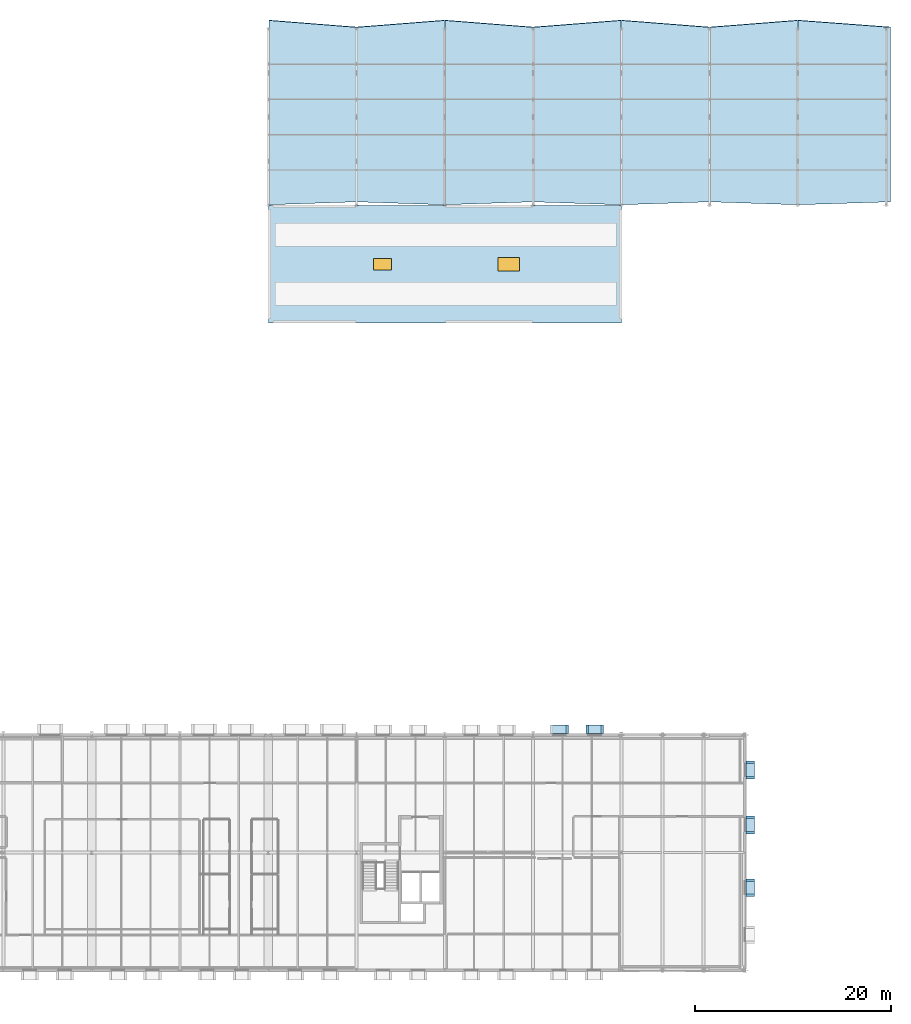
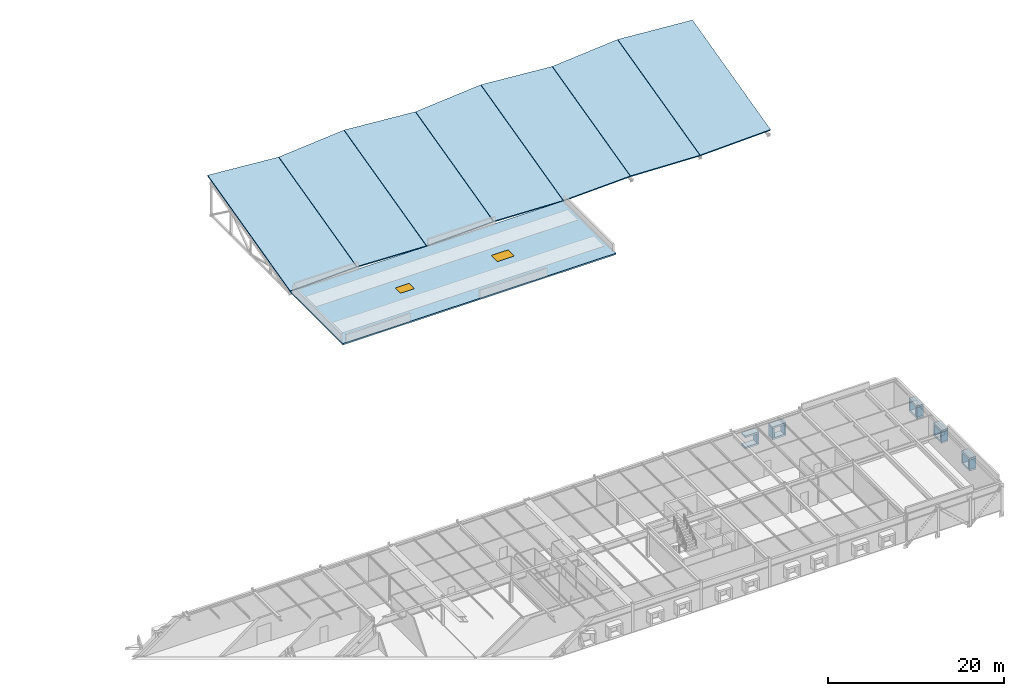
# One storey, part 18 of 36: 19 plates, 8 slabs, 2 windows, 2 openings, 1 element without a shape of its own.
"""IFC4 building model written with IfcOpenShell, lengths in metres."""

from ifc_helpers import new_model, si_unit, direction, frame, origin, origin_2d, place, context, subcontext, project, spatial, polyline, rectangle, outline, extrude, material, layer, layer_set, type_object, element, fill, aggregate, save


model = new_model("IFC4")

# Units and contexts
model_context = context("Model", 3, precision=1e-05, world=origin(), true_north=direction((0.0, 1.0)))
body_context = subcontext(model_context, "Body", "Model", "MODEL_VIEW")
ifc_project = project(units=[si_unit("LENGTHUNIT", "METRE"), si_unit("AREAUNIT", "SQUARE_METRE"), si_unit("VOLUMEUNIT", "CUBIC_METRE"), si_unit("PLANEANGLEUNIT", "RADIAN"), si_unit("MASSUNIT", "GRAM", prefix="KILO")], contexts=[model_context])

# Site, building, storey
site_placement = place(None, origin())
site = spatial("IfcSite", under=ifc_project, at=site_placement, CompositionType="ELEMENT")
building_placement = place(site_placement, origin())
building = spatial("IfcBuilding", under=site, at=building_placement, Name="Montelvaro Courts of Justice", CompositionType="ELEMENT")
storey_placement = place(building_placement, frame((0.0, 0.0, 23.39990234375)))
storey = spatial("IfcBuildingStorey", under=building, at=storey_placement, Name="L05", CompositionType="ELEMENT", Elevation=23.39990234375)

# Slab, openings, windows
ifc_material_1 = material(Name="Concrete C35/45", Category="concrete")
ifc_layer_1 = layer(ifc_material_1, 0.199951171875)
ifc_layer_set_1 = layer_set([ifc_layer_1], Name="Concrete C35/45")
slab_type_1 = type_object("IfcSlabType", Name="HeadHouseRoof_200", PredefinedType="ROOF", material=ifc_layer_set_1)
slab_1_placement = place(storey_placement, frame((0.0, 0.0, -0.199951171875)))
slab_1 = element("IfcSlab", 1, at=slab_1_placement, inside=storey, type_object=slab_type_1, Name="Roof Slab SR-06 L05", PredefinedType="ROOF", context=body_context, shape_type="SweptSolid", body=[
    extrude(outline(polyline([(99.050048828125, 66.0), (135.0, 66.0), (135.0, 78.0), (99.050048828125, 78.0), (99.050048828125, 66.0)])), origin(), (0.0, 0.0, 1.0), 0.199951171875),
])
opening_1_placement = place(slab_1_placement, frame((110.656005859375, 72.0, -0.014892578125)))
opening_1 = element("IfcOpeningElement", 2, at=opening_1_placement, cuts=slab_1, Name="Opening SK-03", PredefinedType="OPENING", context=body_context, shape_type="SweptSolid", body=[
    extrude(rectangle(XDim=1.800048828125, YDim=1.199951171875, at=origin_2d()), origin(), (0.0, 0.0, 1.0), 0.229736328125),
])
opening_2_placement = place(slab_1_placement, frame((123.5439453125, 72.0, -0.014892578125)))
opening_2 = element("IfcOpeningElement", 3, at=opening_2_placement, cuts=slab_1, Name="Opening SK-04", PredefinedType="OPENING", context=body_context, shape_type="SweptSolid", body=[
    extrude(rectangle(XDim=2.199951171875, YDim=1.39990234375, at=origin_2d()), origin(), (0.0, 0.0, 1.0), 0.229736328125),
])
ifc_material_2 = material(Name="Low-E solar control double glazing", Category="glass")
window_type_1 = type_object("IfcWindowType", Name="Skylight_180x120", PartitioningType="SINGLE_PANEL", PredefinedType="SKYLIGHT", material=ifc_material_2)
window_1_placement = place(slab_1_placement, frame((110.656005859375, 72.0, 0.14990234375)))
window_1 = element("IfcWindow", 4, at=window_1_placement, inside=storey, type_object=window_type_1, Name="Roof Skylight Hatch SK-03-4.1", OverallHeight=1.199951171875, OverallWidth=1.800048828125, PartitioningType="SINGLE_PANEL", PredefinedType="SKYLIGHT", context=body_context, shape_type="SweptSolid", body=[
    extrude(rectangle(XDim=1.800048828125, YDim=1.199951171875, at=origin_2d()), origin(), (0.0, 0.0, 1.0), 0.050048828125),
])
fill(opening_1, window_1)
window_type_2 = type_object("IfcWindowType", Name="Skylight_220x140", PartitioningType="SINGLE_PANEL", PredefinedType="SKYLIGHT", material=ifc_material_2)
window_2_placement = place(slab_1_placement, frame((123.5439453125, 72.0, 0.14990234375)))
window_2 = element("IfcWindow", 5, at=window_2_placement, inside=storey, type_object=window_type_2, Name="Roof Skylight Hatch SK-04-4.2", OverallHeight=1.39990234375, OverallWidth=2.199951171875, PartitioningType="SINGLE_PANEL", PredefinedType="SKYLIGHT", context=body_context, shape_type="SweptSolid", body=[
    extrude(rectangle(XDim=2.199951171875, YDim=1.39990234375, at=origin_2d()), origin(), (0.0, 0.0, 1.0), 0.050048828125),
])
fill(opening_2, window_2)

# Plates
ifc_material_3 = material(Name="White mineral precast concrete C45/55", Category="concrete")
ifc_layer_2 = layer(ifc_material_3, 0.25)
ifc_layer_set_2 = layer_set([ifc_layer_2], Name="White mineral precast concrete C45/55")
plate_type = type_object("IfcPlateType", Name="PrecastSquareFrame_250x850", PredefinedType="SHEET", material=ifc_layer_set_2)
for number, where, z_axis, x_axis, name in (
    (6, (148.159912109375, 8.4189453125, 2.2001953125), (0.0, 0.0, 1.0), (0.0, 1.0, 0.0), "Graduated Square Window Frame PF-03 W-L05-273 TOP"),
    (7, (148.159912109375, 8.4189453125, 0.650146484375), (0.0, 0.0, 1.0), (0.0, 1.0, 0.0), "Graduated Square Window Frame PF-03 W-L05-273 BOT"),
):
    element("IfcPlate", number, at=place(storey_placement, frame(where, z_axis=z_axis, x_axis=x_axis)), inside=storey, type_object=plate_type, Name=name, PredefinedType="SHEET", context=body_context, shape_type="SweptSolid", body=[
        extrude(rectangle(XDim=1.800048828125, YDim=0.860107421875, at=origin_2d()), origin(), (0.0, 0.0, 1.0), 0.25),
    ])
for number, where, z_axis, x_axis, name in (
    (8, (148.159912109375, 7.64404296875, 0.89990234375), (0.0, 0.0, 1.0), (0.0, 1.0, 0.0), "Graduated Square Window Frame PF-03 W-L05-273 L"),
    (9, (148.159912109375, 9.194091796875, 0.89990234375), (0.0, 0.0, 1.0), (0.0, 1.0, 0.0), "Graduated Square Window Frame PF-03 W-L05-273 R"),
):
    element("IfcPlate", number, at=place(storey_placement, frame(where, z_axis=z_axis, x_axis=x_axis)), inside=storey, type_object=plate_type, Name=name, PredefinedType="SHEET", context=body_context, shape_type="SweptSolid", body=[
        extrude(rectangle(XDim=0.25, YDim=0.860107421875, at=origin_2d()), origin(), (0.0, 0.0, 1.0), 1.300048828125),
    ])
for number, where, z_axis, x_axis, name in (
    (10, (148.159912109375, 14.81005859375, 2.2001953125), (0.0, 0.0, 1.0), (0.0, 1.0, 0.0), "Graduated Square Window Frame PF-03 W-L05-274 TOP"),
    (11, (148.159912109375, 14.81005859375, 0.650146484375), (0.0, 0.0, 1.0), (0.0, 1.0, 0.0), "Graduated Square Window Frame PF-03 W-L05-274 BOT"),
):
    element("IfcPlate", number, at=place(storey_placement, frame(where, z_axis=z_axis, x_axis=x_axis)), inside=storey, type_object=plate_type, Name=name, PredefinedType="SHEET", context=body_context, shape_type="SweptSolid", body=[
        extrude(rectangle(XDim=1.800048828125, YDim=0.860107421875, at=origin_2d()), origin(), (0.0, 0.0, 1.0), 0.25),
    ])
for number, where, z_axis, x_axis, name in (
    (12, (148.159912109375, 14.034912109375, 0.89990234375), (0.0, 0.0, 1.0), (0.0, 1.0, 0.0), "Graduated Square Window Frame PF-03 W-L05-274 L"),
    (13, (148.159912109375, 15.5849609375, 0.89990234375), (0.0, 0.0, 1.0), (0.0, 1.0, 0.0), "Graduated Square Window Frame PF-03 W-L05-274 R"),
):
    element("IfcPlate", number, at=place(storey_placement, frame(where, z_axis=z_axis, x_axis=x_axis)), inside=storey, type_object=plate_type, Name=name, PredefinedType="SHEET", context=body_context, shape_type="SweptSolid", body=[
        extrude(rectangle(XDim=0.25, YDim=0.860107421875, at=origin_2d()), origin(), (0.0, 0.0, 1.0), 1.300048828125),
    ])
for number, where, z_axis, x_axis, name in (
    (14, (148.159912109375, 20.425048828125, 2.2001953125), (0.0, 0.0, 1.0), (0.0, 1.0, 0.0), "Graduated Square Window Frame PF-03 W-L05-275 TOP"),
    (15, (148.159912109375, 20.425048828125, 0.650146484375), (0.0, 0.0, 1.0), (0.0, 1.0, 0.0), "Graduated Square Window Frame PF-03 W-L05-275 BOT"),
):
    element("IfcPlate", number, at=place(storey_placement, frame(where, z_axis=z_axis, x_axis=x_axis)), inside=storey, type_object=plate_type, Name=name, PredefinedType="SHEET", context=body_context, shape_type="SweptSolid", body=[
        extrude(rectangle(XDim=1.800048828125, YDim=0.860107421875, at=origin_2d()), origin(), (0.0, 0.0, 1.0), 0.25),
    ])
for number, where, z_axis, x_axis, name in (
    (16, (148.159912109375, 19.64990234375, 0.89990234375), (0.0, 0.0, 1.0), (0.0, 1.0, 0.0), "Graduated Square Window Frame PF-03 W-L05-275 L"),
    (17, (148.159912109375, 21.199951171875, 0.89990234375), (0.0, 0.0, 1.0), (0.0, 1.0, 0.0), "Graduated Square Window Frame PF-03 W-L05-275 R"),
):
    element("IfcPlate", number, at=place(storey_placement, frame(where, z_axis=z_axis, x_axis=x_axis)), inside=storey, type_object=plate_type, Name=name, PredefinedType="SHEET", context=body_context, shape_type="SweptSolid", body=[
        extrude(rectangle(XDim=0.25, YDim=0.860107421875, at=origin_2d()), origin(), (0.0, 0.0, 1.0), 1.300048828125),
    ])
for number, where, z_axis, x_axis, name in (
    (18, (132.297119140625, 24.56005859375, 2.2001953125), (0.0, 0.0, 1.0), (-1.0, 0.0, 0.0), "Graduated Square Window Frame PF-03 W-L05-276 TOP"),
    (19, (132.297119140625, 24.56005859375, 0.650146484375), (0.0, 0.0, 1.0), (-1.0, 0.0, 0.0), "Graduated Square Window Frame PF-03 W-L05-276 BOT"),
):
    element("IfcPlate", number, at=place(storey_placement, frame(where, z_axis=z_axis, x_axis=x_axis)), inside=storey, type_object=plate_type, Name=name, PredefinedType="SHEET", context=body_context, shape_type="SweptSolid", body=[
        extrude(rectangle(XDim=1.800048828125, YDim=0.860107421875, at=origin_2d()), origin(), (0.0, 0.0, 1.0), 0.25),
    ])
for number, where, z_axis, x_axis, name in (
    (20, (133.072021484375, 24.56005859375, 0.89990234375), (0.0, 0.0, 1.0), (-1.0, 0.0, 0.0), "Graduated Square Window Frame PF-03 W-L05-276 L"),
    (21, (131.52197265625, 24.56005859375, 0.89990234375), (0.0, 0.0, 1.0), (-1.0, 0.0, 0.0), "Graduated Square Window Frame PF-03 W-L05-276 R"),
):
    element("IfcPlate", number, at=place(storey_placement, frame(where, z_axis=z_axis, x_axis=x_axis)), inside=storey, type_object=plate_type, Name=name, PredefinedType="SHEET", context=body_context, shape_type="SweptSolid", body=[
        extrude(rectangle(XDim=0.25, YDim=0.860107421875, at=origin_2d()), origin(), (0.0, 0.0, 1.0), 1.300048828125),
    ])
for number, where, z_axis, x_axis, name in (
    (22, (128.702880859375, 24.56005859375, 2.2001953125), (0.0, 0.0, 1.0), (-1.0, 0.0, 0.0), "Graduated Square Window Frame PF-03 W-L05-277 TOP"),
    (23, (128.702880859375, 24.56005859375, 0.650146484375), (0.0, 0.0, 1.0), (-1.0, 0.0, 0.0), "Graduated Square Window Frame PF-03 W-L05-277 BOT"),
):
    element("IfcPlate", number, at=place(storey_placement, frame(where, z_axis=z_axis, x_axis=x_axis)), inside=storey, type_object=plate_type, Name=name, PredefinedType="SHEET", context=body_context, shape_type="SweptSolid", body=[
        extrude(rectangle(XDim=1.800048828125, YDim=0.860107421875, at=origin_2d()), origin(), (0.0, 0.0, 1.0), 0.25),
    ])
plate_placement = place(storey_placement, frame((129.47802734375, 24.56005859375, 0.89990234375), z_axis=(0.0, 0.0, 1.0), x_axis=(-1.0, 0.0, 0.0)))
element("IfcPlate", 24, at=plate_placement, inside=storey, type_object=plate_type, Name="Graduated Square Window Frame PF-03 W-L05-277 L", PredefinedType="SHEET", context=body_context, shape_type="SweptSolid", body=[
    extrude(rectangle(XDim=0.25, YDim=0.860107421875, at=origin_2d()), origin(), (0.0, 0.0, 1.0), 1.300048828125),
])

# Roof, slabs
ifc_material_4 = material(Name="Precast concrete C45/55", Category="concrete")
ifc_layer_3 = layer(ifc_material_4, 0.199951171875)
ifc_layer_set_3 = layer_set([ifc_layer_3], Name="Precast concrete C45/55")
roof_type = type_object("IfcRoofType", Name="ButterflySawtoothRoof", PredefinedType="BUTTERFLY_ROOF", material=ifc_layer_set_3)
roof_placement = place(storey_placement, origin())
roof = element("IfcRoof", 25, at=roof_placement, inside=storey, type_object=roof_type, Name="Courtrooms Wing Raked North-Light Clerestory Roof V2", PredefinedType="BUTTERFLY_ROOF")
ifc_layer_4 = layer(ifc_material_4, 0.179931640625)
ifc_layer_set_4 = layer_set([ifc_layer_4], Name="Precast concrete C45/55")
slab_type_2 = type_object("IfcSlabType", Name="RoofSlab_180", PredefinedType="ROOF", material=ifc_layer_set_4)
slab_2_placement = place(storey_placement, frame((99.070068359375, 78.050048828125, 0.0126953125), z_axis=(3.359191e-06, -0.242534102359, 0.970142880808), x_axis=(0.999398130712, 0.033654794138, 0.008410181921)))
slab_2 = element("IfcSlab", 26, at=slab_2_placement, type_object=slab_type_2, Name="V2 Raked Clerestory Roof Slab 1", PredefinedType="ROOF", context=body_context, shape_type="SweptSolid", body=[
    extrude(outline(polyline([(0.0, 0.0), (8.915277941454356, 8.326672684688674e-17), (9.551751602797149, 18.336575842365075), (0.6722392174631447, 19.366968564841756), (0.0, 0.0)])), origin(), (0.0, 0.0, -1.0), 0.179931640625),
])
slab_3_placement = place(storey_placement, frame((108.02001953125, 78.35009765625, 0.087646484375), z_axis=(-3.340427e-06, -0.242534102359, 0.970142880808), x_axis=(0.999404829829, -0.033467028476, -0.008363260125)))
slab_3 = element("IfcSlab", 27, at=slab_3_placement, type_object=slab_type_2, Name="V2 Raked Clerestory Roof Slab 2", PredefinedType="ROOF", context=body_context, shape_type="SweptSolid", body=[
    extrude(outline(polyline([(0.0, 0.0), (8.965296814836709, -6.938893903907228e-18), (8.296808131125585, 19.367098384549355), (-0.6329226695423639, 18.33669875519497), (0.0, 0.0)])), origin(), (0.0, 0.0, -1.0), 0.179931640625),
])
slab_4_placement = place(storey_placement, frame((117.02001953125, 78.050048828125, 0.0126953125), z_axis=(3.340427e-06, -0.242534102359, 0.970142880808), x_axis=(0.999404829829, 0.033467028476, 0.008363260125)))
slab_4 = element("IfcSlab", 28, at=slab_4_placement, type_object=slab_type_2, Name="V2 Raked Clerestory Roof Slab 3", PredefinedType="ROOF", context=body_context, shape_type="SweptSolid", body=[
    extrude(outline(polyline([(0.0, 0.0), (8.965296814836709, 6.938893903907228e-18), (9.598219484379072, 18.336698755194966), (0.6684886837111227, 19.367098384549355), (0.0, 0.0)])), origin(), (0.0, 0.0, -1.0), 0.179931640625),
])
slab_5_placement = place(storey_placement, frame((126.02001953125, 78.35009765625, 0.087646484375), z_axis=(-3.340427e-06, -0.242534102359, 0.970142880808), x_axis=(0.999404829829, -0.033467028476, -0.008363260125)))
slab_5 = element("IfcSlab", 29, at=slab_5_placement, type_object=slab_type_2, Name="V2 Raked Clerestory Roof Slab 4", PredefinedType="ROOF", context=body_context, shape_type="SweptSolid", body=[
    extrude(outline(polyline([(0.0, 0.0), (8.965296814836709, -6.938893903907228e-18), (8.296808131125585, 19.367098384549355), (-0.6329226695423639, 18.33669875519497), (0.0, 0.0)])), origin(), (0.0, 0.0, -1.0), 0.179931640625),
])
slab_6_placement = place(storey_placement, frame((135.02001953125, 78.050048828125, 0.0126953125), z_axis=(3.340427e-06, -0.242534102359, 0.970142880808), x_axis=(0.999404829829, 0.033467028476, 0.008363260125)))
slab_6 = element("IfcSlab", 30, at=slab_6_placement, type_object=slab_type_2, Name="V2 Raked Clerestory Roof Slab 5", PredefinedType="ROOF", context=body_context, shape_type="SweptSolid", body=[
    extrude(outline(polyline([(0.0, 0.0), (8.965296814836709, 6.938893903907228e-18), (9.598219484379072, 18.336698755194966), (0.6684886837111227, 19.367098384549355), (0.0, 0.0)])), origin(), (0.0, 0.0, -1.0), 0.179931640625),
])
slab_7_placement = place(storey_placement, frame((144.02001953125, 78.35009765625, 0.087646484375), z_axis=(-3.340427e-06, -0.242534102359, 0.970142880808), x_axis=(0.999404829829, -0.033467028476, -0.008363260125)))
slab_7 = element("IfcSlab", 31, at=slab_7_placement, type_object=slab_type_2, Name="V2 Raked Clerestory Roof Slab 6", PredefinedType="ROOF", context=body_context, shape_type="SweptSolid", body=[
    extrude(outline(polyline([(0.0, 0.0), (8.965296814836709, -6.938893903907228e-18), (8.296808131125585, 19.367098384549355), (-0.6329226695423639, 18.33669875519497), (0.0, 0.0)])), origin(), (0.0, 0.0, -1.0), 0.179931640625),
])
slab_8_placement = place(storey_placement, frame((153.02001953125, 78.050048828125, 0.0126953125), z_axis=(3.173946e-06, -0.242534102359, 0.970142880808), x_axis=(0.999462629305, 0.031800931495, 0.007946909972)))
slab_8 = element("IfcSlab", 32, at=slab_8_placement, type_object=slab_type_2, Name="V2 Raked Clerestory Roof Slab 7", PredefinedType="ROOF", context=body_context, shape_type="SweptSolid", body=[
    extrude(outline(polyline([(0.0, 0.0), (9.435001734152243, -5.204170427930421e-17), (10.036415464978225, 18.337759237942986), (0.6352091537128071, 19.36821845932412), (0.0, 0.0)])), origin(), (0.0, 0.0, -1.0), 0.179931640625),
])
aggregate(roof, [slab_2, slab_3, slab_4, slab_5, slab_6, slab_7, slab_8])

save(model, "model.ifc")
